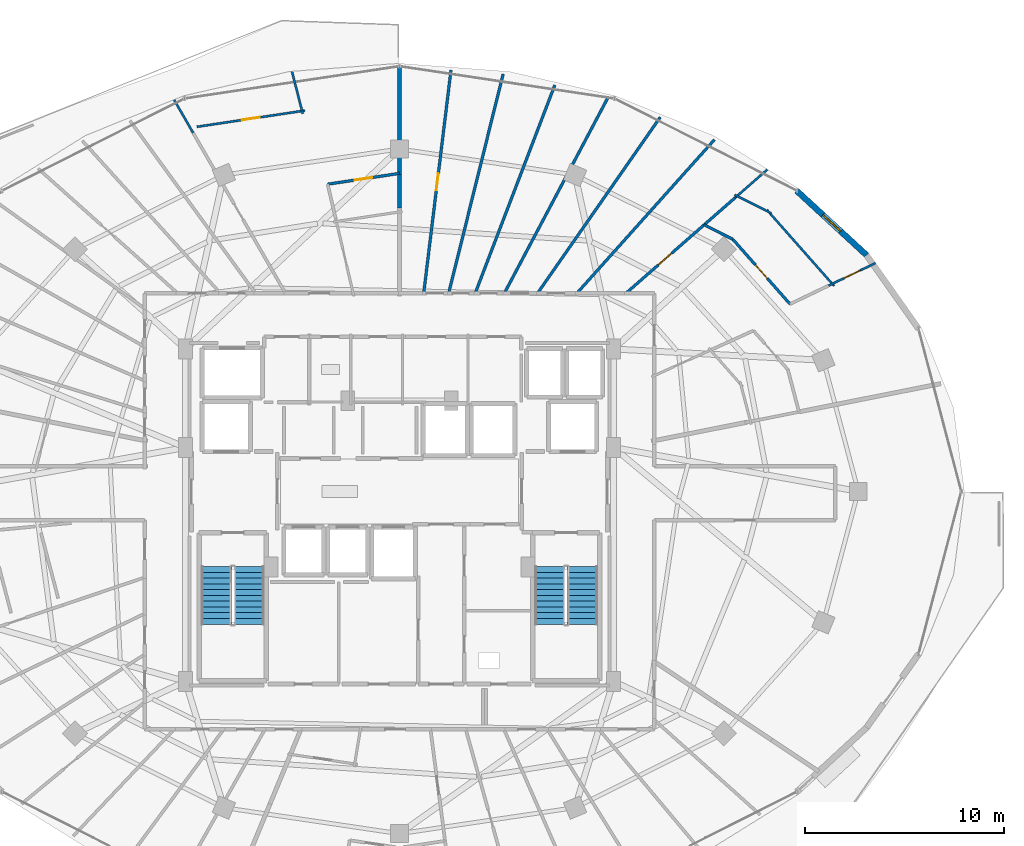
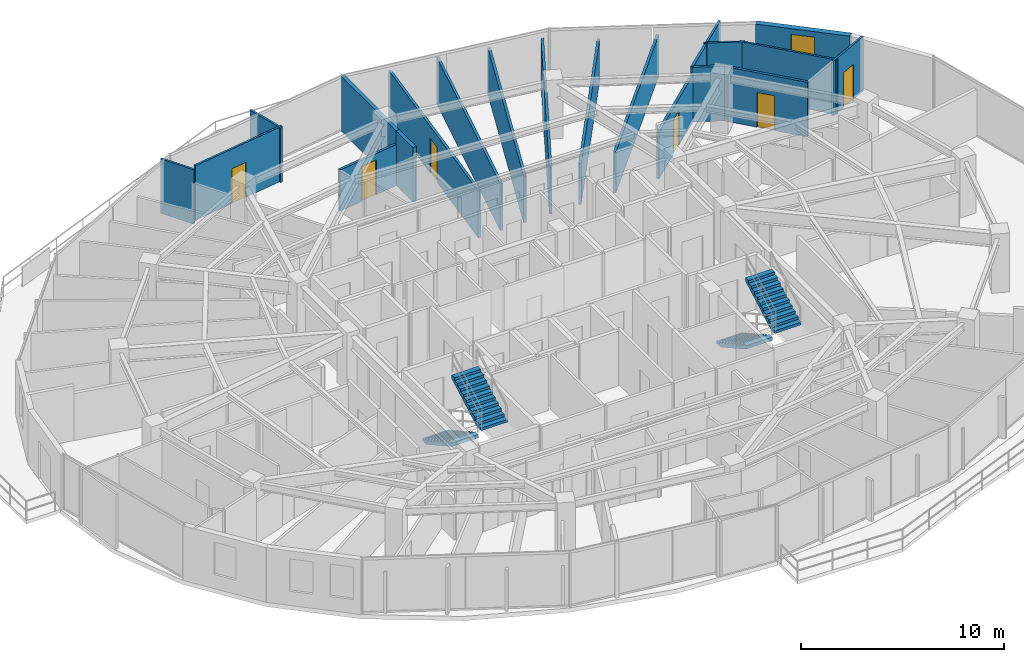
# One storey, part 30 of 34: 21 walls, 6 doors, 4 stair flights, 1 window, 7 openings, 2 elements without a shape of their own.
"""IFC4 building model written with IfcOpenShell, lengths in metres."""

from ifc_helpers import new_model, si_unit, direction, frame, frame_2d, origin, place, context, subcontext, project, spatial, polyline, rectangle, outline, extrude, material, layer, layer_set, type_object, element, fill, aggregate, save


model = new_model("IFC4")

# Units and contexts
model_context = context("Model", 3, precision=1e-05, world=origin(), true_north=direction((0.0, 1.0)))
body_context = subcontext(model_context, "Body", "Model", "MODEL_VIEW")
ifc_project = project(units=[si_unit("LENGTHUNIT", "METRE"), si_unit("AREAUNIT", "SQUARE_METRE"), si_unit("VOLUMEUNIT", "CUBIC_METRE"), si_unit("PLANEANGLEUNIT", "RADIAN"), si_unit("MASSUNIT", "GRAM", prefix="KILO")], contexts=[model_context])

# Site, building, storey
site_placement = place(None, origin())
site = spatial("IfcSite", under=ifc_project, at=site_placement, CompositionType="ELEMENT")
building_placement = place(site_placement, origin())
building = spatial("IfcBuilding", under=site, at=building_placement, Name="Vorneva Point Tower", CompositionType="ELEMENT")
storey_placement = place(building_placement, frame((0.0, 0.0, 214.300048828125)))
storey = spatial("IfcBuildingStorey", under=building, at=storey_placement, Name="L58", CompositionType="ELEMENT", Elevation=214.300048828125)

# Wall, opening, window
ifc_material_1 = material(Name="Precast concrete B50 (C40/50)", Category="concrete")
ifc_layer_1 = layer(ifc_material_1, 0.300048828125)
ifc_layer_set_1 = layer_set([ifc_layer_1], Name="Precast concrete B50 (C40/50)")
wall_type_1 = type_object("IfcWallType", Name="WL-EXT-300", PredefinedType="STANDARD", material=ifc_layer_set_1)
wall_1_placement = place(storey_placement, frame((61.472412109375, 37.861328125, 0.0), z_axis=(0.0, 0.0, 1.0), x_axis=(-0.735359993374, 0.677676678177, 0.0)))
wall_1 = element("IfcWall", 1, at=wall_1_placement, inside=storey, type_object=wall_type_1, Name="L58 Pale-Metal Facade Spandrel Wall 02.2", PredefinedType="STANDARD", context=body_context, shape_type="SweptSolid", body=[
    extrude(rectangle(XDim=4.774169921875, YDim=0.300048828125, at=frame_2d((2.38720703125, 0.0))), origin(), (0.0, 0.0, 1.0), 3.2900390625),
])
opening_1_placement = place(wall_1_placement, frame((1.787109375, 0.0, 0.85009765625)))
opening_1 = element("IfcOpeningElement", 2, at=opening_1_placement, cuts=wall_1, Name="Opening W-04", PredefinedType="OPENING", context=body_context, shape_type="SweptSolid", body=[
    extrude(rectangle(XDim=1.199951171875, YDim=2.10009765625, at=frame_2d((0.60009765625, 1.050048828125))), frame((0.0, 0.1650390625, 0.0), z_axis=(0.0, -1.0, 0.0), x_axis=(1.0, 0.0, 0.0)), (0.0, 0.0, 1.0), 0.329833984375),
])
ifc_material_2 = material(Name="Double low-e laminated glass IGU", Category="glass")
window_type = type_object("IfcWindowType", Name="WN-RES-1200", PartitioningType="SINGLE_PANEL", PredefinedType="WINDOW", material=ifc_material_2)
window_placement = place(opening_1_placement, origin())
window = element("IfcWindow", 3, at=window_placement, inside=storey, type_object=window_type, Name="L58 Facade Window 02", OverallHeight=2.10009765625, OverallWidth=1.199951171875, PartitioningType="SINGLE_PANEL", PredefinedType="WINDOW", context=body_context, shape_type="SweptSolid", body=[
    extrude(rectangle(XDim=1.199951171875, YDim=2.10009765625, at=frame_2d((0.60009765625, 1.050048828125))), frame((0.0, 0.030029296875, 0.0), z_axis=(0.0, -1.0, 0.0), x_axis=(1.0, 0.0, 0.0)), (0.0, 0.0, 1.0), 0.06005859375),
])
fill(opening_1, window)

# Wall, opening, door
ifc_material_3 = material(Name="Fire-rated acoustic gypsum stud partition", Category="gypsum")
ifc_layer_2 = layer(ifc_material_3, 0.110107421875)
ifc_layer_set_2 = layer_set([ifc_layer_2], Name="Fire-rated acoustic gypsum stud partition")
wall_type_2 = type_object("IfcWallType", Name="WL-PART-110", PredefinedType="PARTITIONING", material=ifc_layer_set_2)
wall_2_placement = place(storey_placement, frame((61.919189453125, 37.467529296875, 0.0), z_axis=(0.0, 0.0, 1.0), x_axis=(-0.901731167672, -0.432297237151, 0.0)))
wall_2 = element("IfcWall", 4, at=wall_2_placement, inside=storey, type_object=wall_type_2, Name="L58 Interior Partition 089", PredefinedType="PARTITIONING", context=body_context, shape_type="SweptSolid", body=[
    extrude(rectangle(XDim=2.616455078125, YDim=0.110107421875, at=frame_2d((1.30810546875, 0.0))), origin(), (0.0, 0.0, 1.0), 3.2900390625),
])
opening_2_placement = place(wall_2_placement, frame((0.858154296875, 0.0, 0.0)))
opening_2 = element("IfcOpeningElement", 5, at=opening_2_placement, cuts=wall_2, Name="Opening ID-01", PredefinedType="OPENING", context=body_context, shape_type="SweptSolid", body=[
    extrude(rectangle(XDim=0.89990234375, YDim=2.10009765625, at=frame_2d((0.449951171875, 1.050048828125))), frame((0.0, 0.06982421875, 0.0), z_axis=(0.0, -1.0, 0.0), x_axis=(1.0, 0.0, 0.0)), (0.0, 0.0, 1.0), 0.139892578125),
])
ifc_material_4 = material(Name="Engineered oak fire-rated door leaf", Category="wood")
door_type_1 = type_object("IfcDoorType", Name="DR-ROOM-900", OperationType="NOTDEFINED", PredefinedType="DOOR", material=ifc_material_4)
door_1_placement = place(opening_2_placement, origin())
door_1 = element("IfcDoor", 6, at=door_1_placement, inside=storey, type_object=door_type_1, Name="L58 Door Living and Dining Room L58-01 / Kitchen L58-01", OperationType="SINGLE_SWING_RIGHT", OverallHeight=2.10009765625, OverallWidth=0.89990234375, PredefinedType="DOOR", context=body_context, shape_type="SweptSolid", body=[
    extrude(rectangle(XDim=0.89990234375, YDim=2.10009765625, at=frame_2d((0.449951171875, 1.050048828125))), frame((0.0, 0.02490234375, 0.0), z_axis=(0.0, -1.0, 0.0), x_axis=(1.0, 0.0, 0.0)), (0.0, 0.0, 1.0), 0.050048828125),
])
fill(opening_2, door_1)

# Walls
wall_3_placement = place(storey_placement, frame((54.8369140625, 40.899169921875, 0.0), z_axis=(0.0, 0.0, 1.0), x_axis=(0.892645505641, -0.450759360701, 0.0)))
element("IfcWall", 7, at=wall_3_placement, inside=storey, type_object=wall_type_2, Name="L58 Interior Partition 098", PredefinedType="PARTITIONING", context=body_context, shape_type="SweptSolid", body=[
    extrude(rectangle(XDim=2.0634765625, YDim=0.110107421875, at=frame_2d((1.03173828125, 0.0))), origin(), (0.0, 0.0, 1.0), 3.2900390625),
])
wall_4_placement = place(storey_placement, frame((56.461181640625, 40.136962890625, 0.0), z_axis=(0.0, 0.0, 1.0), x_axis=(0.662153993881, -0.749367792467, 0.0)))
element("IfcWall", 8, at=wall_4_placement, inside=storey, type_object=wall_type_2, Name="L58 Interior Partition 099", PredefinedType="PARTITIONING", context=body_context, shape_type="SweptSolid", body=[
    extrude(rectangle(XDim=5.0947265625, YDim=0.110107421875, at=frame_2d((2.54736328125, 0.0))), origin(), (0.0, 0.0, 1.0), 3.2900390625),
])
wall_5_placement = place(storey_placement, frame((56.484375, 42.168212890625, 0.0), z_axis=(0.0, 0.0, 1.0), x_axis=(-0.752555717051, -0.658528581562, 0.0)))
element("IfcWall", 9, at=wall_5_placement, inside=storey, type_object=wall_type_2, Name="L58 Interior Partition 100", PredefinedType="PARTITIONING", context=body_context, shape_type="SweptSolid", body=[
    extrude(rectangle(XDim=2.162841796875, YDim=0.110107421875, at=frame_2d((1.08154296875, 0.0))), origin(), (0.0, 0.0, 1.0), 3.2900390625),
])
wall_6_placement = place(storey_placement, frame((32.60009765625, 47.084716796875, 0.0), z_axis=(0.0, 0.0, 1.0), x_axis=(0.248431915259, -0.96864936044, 0.0)))
element("IfcWall", 10, at=wall_6_placement, inside=storey, type_object=wall_type_2, Name="L58 Interior Partition 112", PredefinedType="PARTITIONING", context=body_context, shape_type="SweptSolid", body=[
    extrude(rectangle(XDim=2.1806640625, YDim=0.110107421875, at=frame_2d((1.09033203125, 0.0))), origin(), (0.0, 0.0, 1.0), 3.2900390625),
])

# Wall, opening, door
wall_7_placement = place(storey_placement, frame((33.245361328125, 45.12890625, 0.0), z_axis=(0.0, 0.0, 1.0), x_axis=(-0.988861815895, -0.148836517916, 0.0)))
wall_7 = element("IfcWall", 11, at=wall_7_placement, inside=storey, type_object=wall_type_2, Name="L58 Interior Partition 113", PredefinedType="PARTITIONING", context=body_context, shape_type="SweptSolid", body=[
    extrude(rectangle(XDim=5.48681640625, YDim=0.110107421875, at=frame_2d((2.743408203125, 0.0))), origin(), (0.0, 0.0, 1.0), 3.2900390625),
])
opening_3_placement = place(wall_7_placement, frame((2.29345703125, 0.0, 0.0)))
opening_3 = element("IfcOpeningElement", 12, at=opening_3_placement, cuts=wall_7, Name="Opening ID-01", PredefinedType="OPENING", context=body_context, shape_type="SweptSolid", body=[
    extrude(rectangle(XDim=0.89990234375, YDim=2.10009765625, at=frame_2d((0.449951171875, 1.050048828125))), frame((0.0, 0.06982421875, 0.0), z_axis=(0.0, -1.0, 0.0), x_axis=(1.0, 0.0, 0.0)), (0.0, 0.0, 1.0), 0.139892578125),
])
door_2_placement = place(opening_3_placement, origin())
door_2 = element("IfcDoor", 13, at=door_2_placement, inside=storey, type_object=door_type_1, Name="L58 Door Living and Dining Room L58-02 / Kitchen L58-02", OperationType="SINGLE_SWING_RIGHT", OverallHeight=2.10009765625, OverallWidth=0.89990234375, PredefinedType="DOOR", context=body_context, shape_type="SweptSolid", body=[
    extrude(rectangle(XDim=0.89990234375, YDim=2.10009765625, at=frame_2d((0.449951171875, 1.050048828125))), frame((0.0, 0.02490234375, 0.0), z_axis=(0.0, -1.0, 0.0), x_axis=(1.0, 0.0, 0.0)), (0.0, 0.0, 1.0), 0.050048828125),
])
fill(opening_3, door_2)

# Wall
wall_8_placement = place(storey_placement, frame((26.68017578125, 45.665283203125, 0.0), z_axis=(0.0, 0.0, 1.0), x_axis=(0.498810083909, -0.866711313062, 0.0)))
element("IfcWall", 14, at=wall_8_placement, inside=storey, type_object=wall_type_2, Name="L58 Interior Partition 118", PredefinedType="PARTITIONING", context=body_context, shape_type="SweptSolid", body=[
    extrude(rectangle(XDim=1.907958984375, YDim=0.110107421875, at=frame_2d((0.9541015625, 0.0))), origin(), (0.0, 0.0, 1.0), 3.2900390625),
])

# Wall, opening, door
ifc_layer_3 = layer(ifc_material_3, 0.139892578125)
ifc_layer_set_3 = layer_set([ifc_layer_3], Name="Fire-rated acoustic gypsum stud partition")
wall_type_3 = type_object("IfcWallType", Name="WL-PART-140", PredefinedType="PARTITIONING", material=ifc_layer_set_3)
wall_9_placement = place(storey_placement, frame((57.62109375, 35.406982421875, 0.0), z_axis=(0.0, 0.0, 1.0), x_axis=(-0.662160377652, 0.749362151612, 0.0)))
wall_9 = element("IfcWall", 15, at=wall_9_placement, inside=storey, type_object=wall_type_3, Name="L58 Interior Partition 091", PredefinedType="PARTITIONING", context=body_context, shape_type="SweptSolid", body=[
    extrude(rectangle(XDim=4.34521484375, YDim=0.139892578125, at=frame_2d((2.172607421875, 0.0))), origin(), (0.0, 0.0, 1.0), 3.2900390625),
])
opening_4_placement = place(wall_9_placement, frame((1.722412109375, 0.0, 0.0)))
opening_4 = element("IfcOpeningElement", 16, at=opening_4_placement, cuts=wall_9, Name="Opening ID-01", PredefinedType="OPENING", context=body_context, shape_type="SweptSolid", body=[
    extrude(rectangle(XDim=0.89990234375, YDim=2.10009765625, at=frame_2d((0.449951171875, 1.050048828125))), frame((0.0, 0.0849609375, 0.0), z_axis=(0.0, -1.0, 0.0), x_axis=(1.0, 0.0, 0.0)), (0.0, 0.0, 1.0), 0.169677734375),
])
door_3_placement = place(opening_4_placement, origin())
door_3 = element("IfcDoor", 17, at=door_3_placement, inside=storey, type_object=door_type_1, Name="L58 Door Living and Dining Room L58-01 / Study Room L58-01", OperationType="SINGLE_SWING_LEFT", OverallHeight=2.10009765625, OverallWidth=0.89990234375, PredefinedType="DOOR", context=body_context, shape_type="SweptSolid", body=[
    extrude(rectangle(XDim=0.89990234375, YDim=2.10009765625, at=frame_2d((0.449951171875, 1.050048828125))), frame((0.0, 0.02490234375, 0.0), z_axis=(0.0, -1.0, 0.0), x_axis=(1.0, 0.0, 0.0)), (0.0, 0.0, 1.0), 0.050048828125),
])
fill(opening_4, door_3)

# Wall
wall_10_placement = place(storey_placement, frame((54.743896484375, 38.6630859375, 0.0), z_axis=(0.0, 0.0, 1.0), x_axis=(-0.892600010283, 0.450849444541, 0.0)))
element("IfcWall", 18, at=wall_10_placement, inside=storey, type_object=wall_type_3, Name="L58 Interior Partition 092", PredefinedType="PARTITIONING", context=body_context, shape_type="SweptSolid", body=[
    extrude(rectangle(XDim=1.60986328125, YDim=0.139892578125, at=frame_2d((0.804931640625, 0.0))), origin(), (0.0, 0.0, 1.0), 3.2900390625),
])

# Wall, opening, door
wall_11_placement = place(storey_placement, frame((53.306884765625, 39.388916015625, 0.0), z_axis=(0.0, 0.0, 1.0), x_axis=(-0.752631709834, -0.658441728137, 0.0)))
wall_11 = element("IfcWall", 19, at=wall_11_placement, inside=storey, type_object=wall_type_3, Name="L58 Interior Partition 093", PredefinedType="PARTITIONING", context=body_context, shape_type="SweptSolid", body=[
    extrude(rectangle(XDim=5.222900390625, YDim=0.139892578125, at=frame_2d((2.611328125, 0.0))), origin(), (0.0, 0.0, 1.0), 2.823974609375),
])
opening_5_placement = place(wall_11_placement, frame((2.16162109375, 0.0, 0.0)))
opening_5 = element("IfcOpeningElement", 20, at=opening_5_placement, cuts=wall_11, Name="Opening ID-01", PredefinedType="OPENING", context=body_context, shape_type="SweptSolid", body=[
    extrude(rectangle(XDim=0.89990234375, YDim=2.10009765625, at=frame_2d((0.449951171875, 1.050048828125))), frame((0.0, 0.0849609375, 0.0), z_axis=(0.0, -1.0, 0.0), x_axis=(1.0, 0.0, 0.0)), (0.0, 0.0, 1.0), 0.169677734375),
])
door_4_placement = place(opening_5_placement, origin())
door_4 = element("IfcDoor", 21, at=door_4_placement, inside=storey, type_object=door_type_1, Name="L58 Door Living and Dining Room L58-01 / Master Bedroom L58-01.1", OperationType="SINGLE_SWING_RIGHT", OverallHeight=2.10009765625, OverallWidth=0.89990234375, PredefinedType="DOOR", context=body_context, shape_type="SweptSolid", body=[
    extrude(rectangle(XDim=0.89990234375, YDim=2.10009765625, at=frame_2d((0.449951171875, 1.050048828125))), frame((0.0, 0.02490234375, 0.0), z_axis=(0.0, -1.0, 0.0), x_axis=(1.0, 0.0, 0.0)), (0.0, 0.0, 1.0), 0.050048828125),
])
fill(opening_5, door_4)

# Walls
wall_12_placement = place(storey_placement, frame((54.856201171875, 40.744140625, 0.0), z_axis=(0.0, 0.0, 1.0), x_axis=(-0.752679548168, -0.658387042528, 0.0)))
element("IfcWall", 22, at=wall_12_placement, inside=storey, type_object=wall_type_3, Name="L58 Interior Partition 101", PredefinedType="PARTITIONING", context=body_context, shape_type="SweptSolid", body=[
    extrude(rectangle(XDim=2.058349609375, YDim=0.139892578125, at=frame_2d((1.029296875, 0.0))), origin(), (0.0, 0.0, 1.0), 3.2900390625),
])
wall_13_placement = place(storey_placement, frame((53.822021484375, 43.6650390625, 0.0), z_axis=(0.0, 0.0, 1.0), x_axis=(-0.667166856079, -0.74490830721, 0.0)))
element("IfcWall", 23, at=wall_13_placement, inside=storey, type_object=wall_type_3, Name="L58 Interior Partition 102", PredefinedType="PARTITIONING", context=body_context, shape_type="SweptSolid", body=[
    extrude(rectangle(XDim=10.357177734375, YDim=0.139892578125, at=frame_2d((5.1787109375, 0.0))), origin(), (0.0, 0.0, 1.0), 2.48193359375),
])
wall_14_placement = place(storey_placement, frame((51.09912109375, 44.794921875, 0.0), z_axis=(0.0, 0.0, 1.0), x_axis=(-0.571754326018, -0.82042488424, 0.0)))
element("IfcWall", 24, at=wall_14_placement, inside=storey, type_object=wall_type_3, Name="L58 Interior Partition 103", PredefinedType="PARTITIONING", context=body_context, shape_type="SweptSolid", body=[
    extrude(rectangle(XDim=10.781005859375, YDim=0.139892578125, at=frame_2d((5.390625, 0.0))), origin(), (0.0, 0.0, 1.0), 2.48193359375),
])
wall_15_placement = place(storey_placement, frame((48.48193359375, 45.797119140625, 0.0), z_axis=(0.0, 0.0, 1.0), x_axis=(-0.46793402924, -0.883763398359, 0.0)))
element("IfcWall", 25, at=wall_15_placement, inside=storey, type_object=wall_type_3, Name="L58 Interior Partition 104", PredefinedType="PARTITIONING", context=body_context, shape_type="SweptSolid", body=[
    extrude(rectangle(XDim=11.142333984375, YDim=0.139892578125, at=frame_2d((5.5712890625, 0.0))), origin(), (0.0, 0.0, 1.0), 2.823974609375),
])
wall_16_placement = place(storey_placement, frame((45.804931640625, 46.412109375, 0.0), z_axis=(0.0, 0.0, 1.0), x_axis=(-0.357119008819, -0.934058891901, 0.0)))
element("IfcWall", 26, at=wall_16_placement, inside=storey, type_object=wall_type_3, Name="L58 Interior Partition 105", PredefinedType="PARTITIONING", context=body_context, shape_type="SweptSolid", body=[
    extrude(rectangle(XDim=11.20068359375, YDim=0.139892578125, at=frame_2d((5.600341796875, 0.0))), origin(), (0.0, 0.0, 1.0), 2.823974609375),
])
wall_17_placement = place(storey_placement, frame((43.20703125, 46.9609375, 0.0), z_axis=(0.0, 0.0, 1.0), x_axis=(-0.241072089133, -0.970507211638, 0.0)))
element("IfcWall", 27, at=wall_17_placement, inside=storey, type_object=wall_type_3, Name="L58 Interior Partition 106", PredefinedType="PARTITIONING", context=body_context, shape_type="SweptSolid", body=[
    extrude(rectangle(XDim=11.345703125, YDim=0.139892578125, at=frame_2d((5.6728515625, 0.0))), origin(), (0.0, 0.0, 1.0), 2.823974609375),
])

# Wall, opening, door
wall_18_placement = place(storey_placement, frame((40.587890625, 47.156982421875, 0.0), z_axis=(0.0, 0.0, 1.0), x_axis=(-0.121415539359, -0.992601766471, 0.0)))
wall_18 = element("IfcWall", 28, at=wall_18_placement, inside=storey, type_object=wall_type_3, Name="L58 Interior Partition 107", PredefinedType="PARTITIONING", context=body_context, shape_type="SweptSolid", body=[
    extrude(rectangle(XDim=11.29052734375, YDim=0.139892578125, at=frame_2d((5.645263671875, 0.0))), origin(), (0.0, 0.0, 1.0), 2.823974609375),
])
opening_6_placement = place(wall_18_placement, frame((5.22021484375, 0.0, 0.0)))
opening_6 = element("IfcOpeningElement", 29, at=opening_6_placement, cuts=wall_18, Name="Opening ID-02", PredefinedType="OPENING", context=body_context, shape_type="SweptSolid", body=[
    extrude(rectangle(XDim=0.85009765625, YDim=2.10009765625, at=frame_2d((0.425048828125, 1.050048828125))), frame((0.0, 0.0849609375, 0.0), z_axis=(0.0, -1.0, 0.0), x_axis=(1.0, 0.0, 0.0)), (0.0, 0.0, 1.0), 0.169677734375),
])
door_type_2 = type_object("IfcDoorType", Name="DR-BATH-850", OperationType="NOTDEFINED", PredefinedType="DOOR", material=ifc_material_4)
door_5_placement = place(opening_6_placement, origin())
door_5 = element("IfcDoor", 30, at=door_5_placement, inside=storey, type_object=door_type_2, Name="L58 Access Door Bedroom L58-01.6", OperationType="SINGLE_SWING_RIGHT", OverallHeight=2.10009765625, OverallWidth=0.85009765625, PredefinedType="DOOR", context=body_context, shape_type="SweptSolid", body=[
    extrude(rectangle(XDim=0.85009765625, YDim=2.10009765625, at=frame_2d((0.425048828125, 1.050048828125))), frame((0.0, 0.02490234375, 0.0), z_axis=(0.0, -1.0, 0.0), x_axis=(1.0, 0.0, 0.0)), (0.0, 0.0, 1.0), 0.050048828125),
])
fill(opening_6, door_5)

wall_19_placement = place(storey_placement, frame((34.39111328125, 41.428955078125, 0.0), z_axis=(0.0, 0.0, 1.0), x_axis=(0.988870503719, 0.148778785027, 0.0)))
wall_19 = element("IfcWall", 31, at=wall_19_placement, inside=storey, type_object=wall_type_3, Name="L58 Interior Partition 114", PredefinedType="PARTITIONING", context=body_context, shape_type="SweptSolid", body=[
    extrude(rectangle(XDim=3.6494140625, YDim=0.139892578125, at=frame_2d((1.82470703125, 0.0))), origin(), (0.0, 0.0, 1.0), 2.48193359375),
])
opening_7_placement = place(wall_19_placement, frame((1.374755859375, 0.0, 0.0)))
opening_7 = element("IfcOpeningElement", 32, at=opening_7_placement, cuts=wall_19, Name="Opening ID-01", PredefinedType="OPENING", context=body_context, shape_type="SweptSolid", body=[
    extrude(rectangle(XDim=0.89990234375, YDim=2.10009765625, at=frame_2d((0.449951171875, 1.050048828125))), frame((0.0, 0.0849609375, 0.0), z_axis=(0.0, -1.0, 0.0), x_axis=(1.0, 0.0, 0.0)), (0.0, 0.0, 1.0), 0.169677734375),
])
door_6_placement = place(opening_7_placement, origin())
door_6 = element("IfcDoor", 33, at=door_6_placement, inside=storey, type_object=door_type_1, Name="L58 Door Living and Dining Room L58-02 / Study Room L58-02", OperationType="SINGLE_SWING_LEFT", OverallHeight=2.10009765625, OverallWidth=0.89990234375, PredefinedType="DOOR", context=body_context, shape_type="SweptSolid", body=[
    extrude(rectangle(XDim=0.89990234375, YDim=2.10009765625, at=frame_2d((0.449951171875, 1.050048828125))), frame((0.0, 0.02490234375, 0.0), z_axis=(0.0, -1.0, 0.0), x_axis=(1.0, 0.0, 0.0)), (0.0, 0.0, 1.0), 0.050048828125),
])
fill(opening_7, door_6)

# Walls
ifc_material_5 = material(Name="Autoclaved aerated concrete blockwork", Category="masonry")
ifc_layer_4 = layer(ifc_material_5, 0.199951171875)
ifc_layer_set_4 = layer_set([ifc_layer_4], Name="Autoclaved aerated concrete blockwork")
wall_type_4 = type_object("IfcWallType", Name="WL-PART-200", PredefinedType="PARTITIONING", material=ifc_layer_set_4)
wall_20_placement = place(storey_placement, frame((38.0, 47.35009765625, 0.0), z_axis=(0.0, 0.0, 1.0), x_axis=(0.0, -1.0, 0.0)))
element("IfcWall", 34, at=wall_20_placement, inside=storey, type_object=wall_type_4, Name="L58 Interior Partition 108", PredefinedType="PARTITIONING", context=body_context, shape_type="SweptSolid", body=[
    extrude(rectangle(XDim=5.439208984375, YDim=0.199951171875, at=frame_2d((2.7197265625, 0.0))), origin(), (0.0, 0.0, 1.0), 3.2900390625),
])
wall_21_placement = place(storey_placement, frame((38.0, 41.910888671875, 0.0), z_axis=(0.0, 0.0, 1.0), x_axis=(0.0, -1.0, 0.0)))
element("IfcWall", 35, at=wall_21_placement, inside=storey, type_object=wall_type_4, Name="L58 Interior Partition 110", PredefinedType="PARTITIONING", context=body_context, shape_type="SweptSolid", body=[
    extrude(rectangle(XDim=1.6748046875, YDim=0.199951171875, at=frame_2d((0.83740234375, 0.0))), origin(), (0.0, 0.0, 1.0), 3.2900390625),
])

# Stair, stair flights
ifc_material_6 = material(Name="Concrete B50 (C40/50)", Category="concrete")
stair_type = type_object("IfcStairType", Name="ST-DOG-1500", PredefinedType="HALF_TURN_STAIR", material=ifc_material_6)
stair_1_placement = place(storey_placement, origin())
stair_1 = element("IfcStair", 36, at=stair_1_placement, inside=storey, type_object=stair_type, Name="L58 ST1", PredefinedType="HALF_TURN_STAIR")
stair_flight_type = type_object("IfcStairFlightType", Name="STF-1500", PredefinedType="STRAIGHT", material=ifc_material_6)
stair_flight_1_placement = place(storey_placement, frame((28.800048828125, 22.219970703125, 0.0), z_axis=(0.0, 0.0, 1.0), x_axis=(0.0, -1.0, 0.0)))
stair_flight_1 = element("IfcStairFlight", 37, at=stair_flight_1_placement, type_object=stair_flight_type, Name="ST1 flight 1", NumberOfRisers=11, NumberOfTreads=10, PredefinedType="STRAIGHT", RiserHeight=0.161363636, TreadLength=0.29, context=body_context, shape_type="SweptSolid", body=[
    extrude(outline(polyline([(0.0, 0.0), (0.0, 0.161376953125), (0.2900390625, 0.161376953125), (0.2900390625, 0.32275390625), (0.580078125, 0.32275390625), (0.580078125, 0.484130859375), (0.8701171875, 0.484130859375), (0.8701171875, 0.6455078125), (1.159912109375, 0.6455078125), (1.159912109375, 0.806884765625), (1.449951171875, 0.806884765625), (1.449951171875, 0.96826171875), (1.739990234375, 0.96826171875), (1.739990234375, 1.129638671875), (2.030029296875, 1.129638671875), (2.030029296875, 1.291015625), (2.320068359375, 1.291015625), (2.320068359375, 1.452392578125), (2.610107421875, 1.452392578125), (2.610107421875, 1.613525390625), (2.89990234375, 1.613525390625), (2.89990234375, 1.77490234375), (2.89990234375, 1.40771484375), (0.3701171875, 0.0), (0.0, 0.0)])), frame((0.0, 0.75, 0.0), z_axis=(0.0, -1.0, 0.0), x_axis=(1.0, 0.0, 0.0)), (0.0, 0.0, 1.0), 1.5),
])
stair_flight_2_placement = place(storey_placement, frame((30.449951171875, 19.320068359375, 1.77490234375), z_axis=(0.0, 0.0, 1.0), x_axis=(0.0, 1.0, 0.0)))
stair_flight_2 = element("IfcStairFlight", 38, at=stair_flight_2_placement, type_object=stair_flight_type, Name="ST1 flight 2", NumberOfRisers=11, NumberOfTreads=10, PredefinedType="STRAIGHT", RiserHeight=0.161363636, TreadLength=0.29, context=body_context, shape_type="SweptSolid", body=[
    extrude(outline(polyline([(0.0, 0.0), (0.0, 0.161376953125), (0.2900390625, 0.161376953125), (0.2900390625, 0.32275390625), (0.580078125, 0.32275390625), (0.580078125, 0.484130859375), (0.8701171875, 0.484130859375), (0.8701171875, 0.6455078125), (1.159912109375, 0.6455078125), (1.159912109375, 0.806884765625), (1.449951171875, 0.806884765625), (1.449951171875, 0.96826171875), (1.739990234375, 0.96826171875), (1.739990234375, 1.129638671875), (2.030029296875, 1.129638671875), (2.030029296875, 1.291015625), (2.320068359375, 1.291015625), (2.320068359375, 1.452392578125), (2.610107421875, 1.452392578125), (2.610107421875, 1.613525390625), (2.89990234375, 1.613525390625), (2.89990234375, 1.77490234375), (2.89990234375, 1.40771484375), (0.3701171875, 0.0), (0.0, 0.0)])), frame((0.0, 0.75, 0.0), z_axis=(0.0, -1.0, 0.0), x_axis=(1.0, 0.0, 0.0)), (0.0, 0.0, 1.0), 1.5),
])
aggregate(stair_1, [stair_flight_1, stair_flight_2])

stair_2_placement = place(storey_placement, origin())
stair_2 = element("IfcStair", 39, at=stair_2_placement, inside=storey, type_object=stair_type, Name="L58 ST2", PredefinedType="HALF_TURN_STAIR")
stair_flight_3_placement = place(storey_placement, frame((45.550048828125, 22.219970703125, 0.0), z_axis=(0.0, 0.0, 1.0), x_axis=(0.0, -1.0, 0.0)))
stair_flight_3 = element("IfcStairFlight", 40, at=stair_flight_3_placement, type_object=stair_flight_type, Name="ST2 flight 1", NumberOfRisers=11, NumberOfTreads=10, PredefinedType="STRAIGHT", RiserHeight=0.161363636, TreadLength=0.29, context=body_context, shape_type="SweptSolid", body=[
    extrude(outline(polyline([(0.0, 0.0), (0.0, 0.161376953125), (0.2900390625, 0.161376953125), (0.2900390625, 0.32275390625), (0.580078125, 0.32275390625), (0.580078125, 0.484130859375), (0.8701171875, 0.484130859375), (0.8701171875, 0.6455078125), (1.159912109375, 0.6455078125), (1.159912109375, 0.806884765625), (1.449951171875, 0.806884765625), (1.449951171875, 0.96826171875), (1.739990234375, 0.96826171875), (1.739990234375, 1.129638671875), (2.030029296875, 1.129638671875), (2.030029296875, 1.291015625), (2.320068359375, 1.291015625), (2.320068359375, 1.452392578125), (2.610107421875, 1.452392578125), (2.610107421875, 1.613525390625), (2.89990234375, 1.613525390625), (2.89990234375, 1.77490234375), (2.89990234375, 1.40771484375), (0.3701171875, 0.0), (0.0, 0.0)])), frame((0.0, 0.75, 0.0), z_axis=(0.0, -1.0, 0.0), x_axis=(1.0, 0.0, 0.0)), (0.0, 0.0, 1.0), 1.5),
])
stair_flight_4_placement = place(storey_placement, frame((47.199951171875, 19.320068359375, 1.77490234375), z_axis=(0.0, 0.0, 1.0), x_axis=(0.0, 1.0, 0.0)))
stair_flight_4 = element("IfcStairFlight", 41, at=stair_flight_4_placement, type_object=stair_flight_type, Name="ST2 flight 2", NumberOfRisers=11, NumberOfTreads=10, PredefinedType="STRAIGHT", RiserHeight=0.161363636, TreadLength=0.29, context=body_context, shape_type="SweptSolid", body=[
    extrude(outline(polyline([(0.0, 0.0), (0.0, 0.161376953125), (0.2900390625, 0.161376953125), (0.2900390625, 0.32275390625), (0.580078125, 0.32275390625), (0.580078125, 0.484130859375), (0.8701171875, 0.484130859375), (0.8701171875, 0.6455078125), (1.159912109375, 0.6455078125), (1.159912109375, 0.806884765625), (1.449951171875, 0.806884765625), (1.449951171875, 0.96826171875), (1.739990234375, 0.96826171875), (1.739990234375, 1.129638671875), (2.030029296875, 1.129638671875), (2.030029296875, 1.291015625), (2.320068359375, 1.291015625), (2.320068359375, 1.452392578125), (2.610107421875, 1.452392578125), (2.610107421875, 1.613525390625), (2.89990234375, 1.613525390625), (2.89990234375, 1.77490234375), (2.89990234375, 1.40771484375), (0.3701171875, 0.0), (0.0, 0.0)])), frame((0.0, 0.75, 0.0), z_axis=(0.0, -1.0, 0.0), x_axis=(1.0, 0.0, 0.0)), (0.0, 0.0, 1.0), 1.5),
])
aggregate(stair_2, [stair_flight_3, stair_flight_4])

save(model, "model.ifc")
